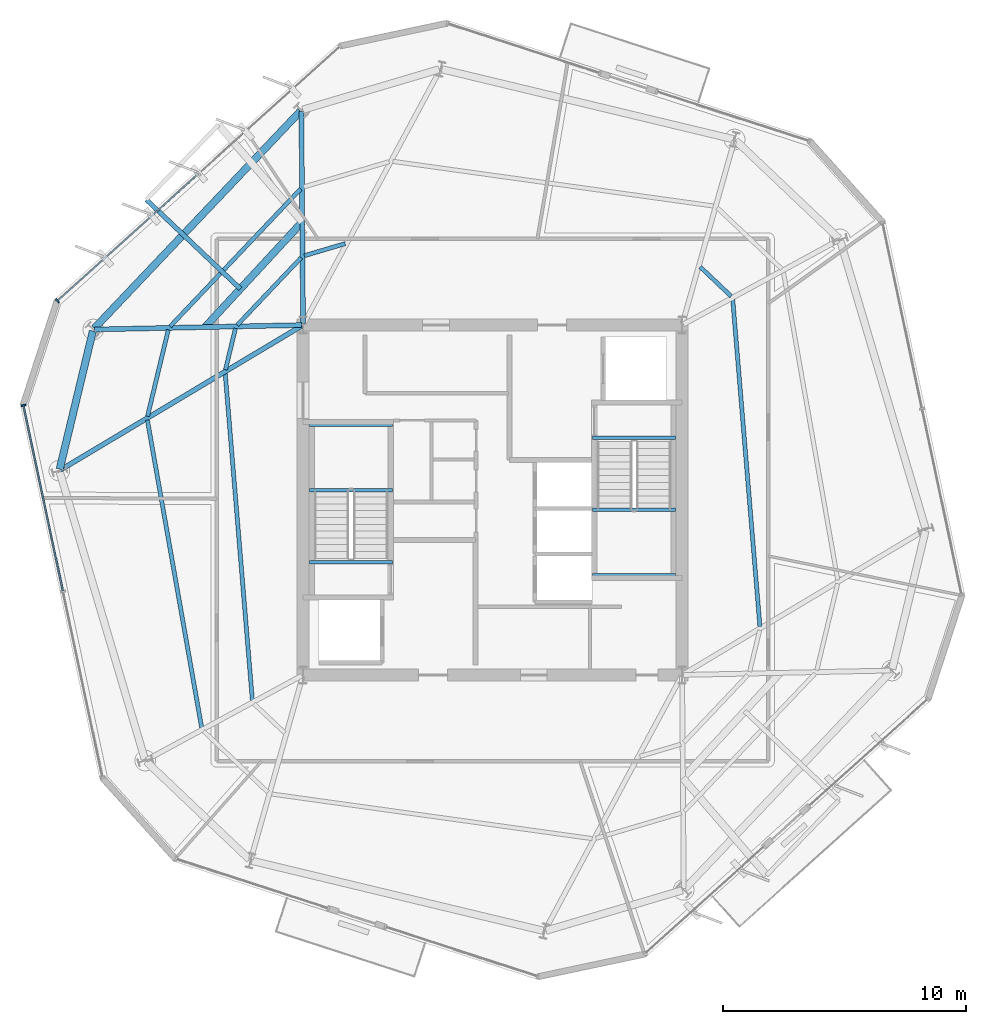
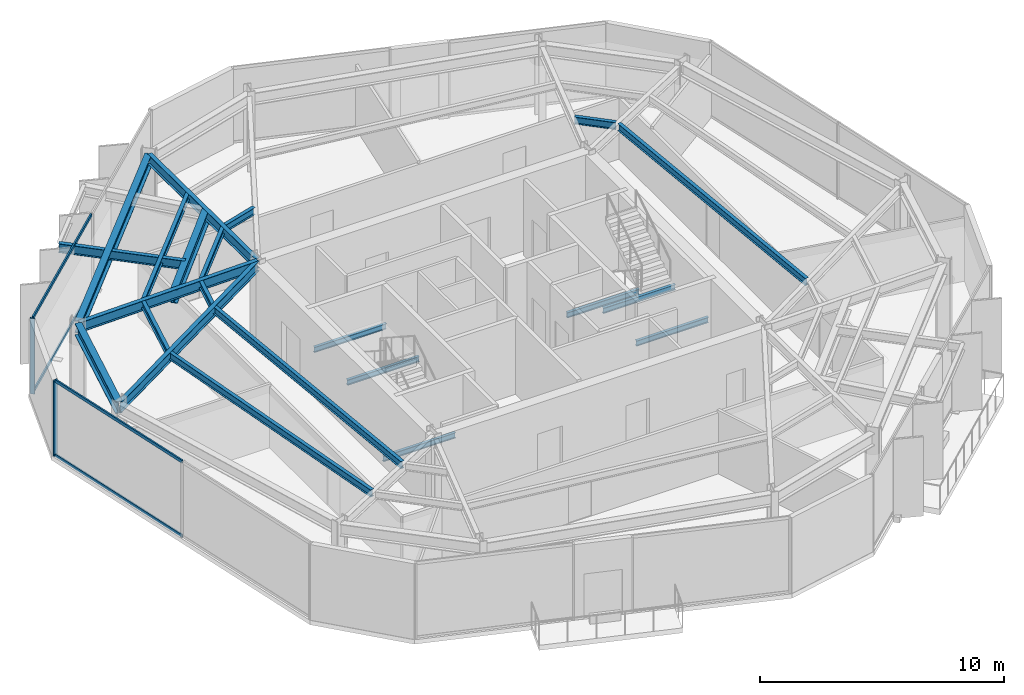
# One storey, part 3 of 11: 22 beams, 6 members, 2 elements without a shape of their own.
"""IFC4 building model written with IfcOpenShell, lengths in metres."""

from ifc_helpers import new_model, si_unit, direction, frame, origin, origin_2d, place, context, subcontext, project, spatial, rectangle, i_section, extrude, material, layer, layer_set, material_profile, profile_set, type_object, element, aggregate, save


model = new_model("IFC4")

# Units and contexts
model_context = context("Model", 3, precision=1e-05, world=origin(), true_north=direction((0.0, 1.0)))
body_context = subcontext(model_context, "Body", "Model", "MODEL_VIEW")
ifc_project = project(units=[si_unit("LENGTHUNIT", "METRE"), si_unit("AREAUNIT", "SQUARE_METRE"), si_unit("VOLUMEUNIT", "CUBIC_METRE"), si_unit("PLANEANGLEUNIT", "RADIAN"), si_unit("MASSUNIT", "GRAM", prefix="KILO")], contexts=[model_context])

# Site, building, storey
site_placement = place(None, origin())
site = spatial("IfcSite", under=ifc_project, at=site_placement, CompositionType="ELEMENT")
building_placement = place(site_placement, origin())
building = spatial("IfcBuilding", under=site, at=building_placement, Name="Kranzbogen Civic Tower", CompositionType="ELEMENT")
storey_placement = place(building_placement, frame((0.0, 0.0, 192.800048828125)))
storey = spatial("IfcBuildingStorey", under=building, at=storey_placement, Name="L46", CompositionType="ELEMENT", Elevation=192.800048828125)

# Beam
ifc_material_1 = material(Name="Steel S355", Category="steel")
ifc_material_profile_1 = material_profile(ifc_material_1, i_section(OverallWidth=0.18994140625, OverallDepth=0.449951171875, WebThickness=0.009521484375, FlangeThickness=0.0146484375, at=origin_2d()), Name="IPE 450")
ifc_profile_set_1 = profile_set([ifc_material_profile_1], Name="Steel S355")
beam_type_1 = type_object("IfcBeamType", Name="Braced Terrace Edge Beam IPE 450", PredefinedType="BEAM", material=ifc_profile_set_1)
beam_1_placement = place(storey_placement, frame((14.62109375, 33.68798828125, 3.52490234375), z_axis=(-0.725451974353, 0.688272789603, 0.0), x_axis=(-0.688272789603, -0.725451974353, 0.0)))
element("IfcBeam", 1, at=beam_1_placement, inside=storey, type_object=beam_type_1, Name="L47 back-spanned terrace beam L47-TB1-2", PredefinedType="BEAM", context=body_context, shape_type="SweptSolid", body=[
    extrude(i_section(OverallWidth=0.18994140625, OverallDepth=0.449951171875, WebThickness=0.009521484375, FlangeThickness=0.0146484375, at=origin_2d()), origin(), (0.0, 0.0, 1.0), 5.33203125),
])

# Curtain wall, member
ifc_material_2 = material(Name="Pale Anodised Aluminium", Category="aluminium")
ifc_layer = layer(ifc_material_2, 0.219970703125, Name="Pale Anodised Aluminium")
ifc_layer_set = layer_set([ifc_layer], Name="Pale Anodised Aluminium")
curtain_wall_type = type_object("IfcCurtainWallType", Name="Zone 3 Stick Curtain Wall System CW-04", PredefinedType="USERDEFINED", material=ifc_layer_set)
curtain_wall_1_placement = place(storey_placement, origin())
curtain_wall_1 = element("IfcCurtainWall", 2, at=curtain_wall_1_placement, inside=storey, type_object=curtain_wall_type, Name="L46 curtain wall CW-L46-F2", ObjectType="STICK CURTAIN WALL", PredefinedType="USERDEFINED")
ifc_material_profile_2 = material_profile(ifc_material_2, rectangle(XDim=0.070068359375, YDim=0.199951171875, at=origin_2d()), Name="ALU-M 70x200")
ifc_profile_set_2 = profile_set([ifc_material_profile_2], Name="Pale Anodised Aluminium")
member_type_1 = type_object("IfcMemberType", Name="Curtain Wall Mullion ALU-M 70x200", PredefinedType="MULLION", material=ifc_profile_set_2)
member_1_placement = place(storey_placement, frame((7.09326171875, 33.195068359375, 0.0), z_axis=(0.0, 0.0, 1.0), x_axis=(-0.743158008002, -0.669115965392, 0.0)))
member_1 = element("IfcMember", 3, at=member_1_placement, type_object=member_type_1, Name="CW-04 mullion 3", PredefinedType="MULLION", context=body_context, shape_type="SweptSolid", body=[
    extrude(rectangle(XDim=0.070068359375, YDim=0.199951171875, at=origin_2d()), origin(), (0.0, 0.0, 1.0), 3.780029296875),
])

curtain_wall_2_placement = place(storey_placement, origin())
curtain_wall_2 = element("IfcCurtainWall", 4, at=curtain_wall_2_placement, inside=storey, type_object=curtain_wall_type, Name="L46 curtain wall CW-L46-F3", ObjectType="STICK CURTAIN WALL", PredefinedType="USERDEFINED")
member_2_placement = place(storey_placement, frame((5.6962890625, 28.895751953125, 0.0), z_axis=(0.0, 0.0, 1.0), x_axis=(0.2079158588, -0.978146714793, 0.0)))
member_2 = element("IfcMember", 5, at=member_2_placement, type_object=member_type_1, Name="CW-04 mullion 1", PredefinedType="MULLION", context=body_context, shape_type="SweptSolid", body=[
    extrude(rectangle(XDim=0.070068359375, YDim=0.199951171875, at=origin_2d()), origin(), (0.0, 0.0, 1.0), 3.780029296875),
])

# Member
ifc_material_profile_3 = material_profile(ifc_material_2, rectangle(XDim=0.070068359375, YDim=0.14990234375, at=origin_2d()), Name="ALU-T 70x150")
ifc_profile_set_3 = profile_set([ifc_material_profile_3], Name="Pale Anodised Aluminium")
member_type_2 = type_object("IfcMemberType", Name="Curtain Wall Transom ALU-T 70x150", PredefinedType="USERDEFINED", material=ifc_profile_set_3)
member_3_placement = place(storey_placement, frame((12.88525390625, 38.409912109375, 0.030029296875), z_axis=(-0.743164352179, -0.669108919124, 0.0), x_axis=(0.669108919124, -0.743164352179, 0.0)))
member_3 = element("IfcMember", 6, at=member_3_placement, type_object=member_type_2, Name="CW-04 transom 2.1", ObjectType="TRANSOM", PredefinedType="USERDEFINED", context=body_context, shape_type="SweptSolid", body=[
    extrude(rectangle(XDim=0.070068359375, YDim=0.14990234375, at=origin_2d()), origin(), (0.0, 0.0, 1.0), 7.763916015625),
])

member_4_placement = place(storey_placement, frame((12.88525390625, 38.409912109375, 3.75), z_axis=(-0.743164352179, -0.669108919124, 0.0), x_axis=(0.669108919124, -0.743164352179, 0.0)))
member_4 = element("IfcMember", 7, at=member_4_placement, type_object=member_type_2, Name="CW-04 transom 2.2", ObjectType="TRANSOM", PredefinedType="USERDEFINED", context=body_context, shape_type="SweptSolid", body=[
    extrude(rectangle(XDim=0.070068359375, YDim=0.14990234375, at=origin_2d()), origin(), (0.0, 0.0, 1.0), 7.763916015625),
])

aggregate(curtain_wall_1, [member_1, member_3, member_4])

member_5_placement = place(storey_placement, frame((5.702392578125, 28.8662109375, 0.030029296875), z_axis=(0.207911782161, -0.978147581318, 0.0), x_axis=(0.978147581318, 0.207911782161, 0.0)))
member_5 = element("IfcMember", 8, at=member_5_placement, type_object=member_type_2, Name="CW-04 transom 1.1", ObjectType="TRANSOM", PredefinedType="USERDEFINED", context=body_context, shape_type="SweptSolid", body=[
    extrude(rectangle(XDim=0.070068359375, YDim=0.14990234375, at=origin_2d()), origin(), (0.0, 0.0, 1.0), 7.76416015625),
])

member_6_placement = place(storey_placement, frame((5.702392578125, 28.8662109375, 3.75), z_axis=(0.207911782161, -0.978147581318, 0.0), x_axis=(0.978147581318, 0.207911782161, 0.0)))
member_6 = element("IfcMember", 9, at=member_6_placement, type_object=member_type_2, Name="CW-04 transom 1.2", ObjectType="TRANSOM", PredefinedType="USERDEFINED", context=body_context, shape_type="SweptSolid", body=[
    extrude(rectangle(XDim=0.070068359375, YDim=0.14990234375, at=origin_2d()), origin(), (0.0, 0.0, 1.0), 7.76416015625),
])

aggregate(curtain_wall_2, [member_2, member_5, member_6])

# Beams
ifc_material_profile_4 = material_profile(ifc_material_1, i_section(OverallWidth=0.300048828125, OverallDepth=0.60009765625, WebThickness=0.015380859375, FlangeThickness=0.030029296875, at=origin_2d()), Name="HEB 600")
ifc_profile_set_4 = profile_set([ifc_material_profile_4], Name="Steel S355")
beam_type_2 = type_object("IfcBeamType", Name="Perimeter Tube Spandrel Beam HEB 600", PredefinedType="SPANDREL", material=ifc_profile_set_4)
beam_2_placement = place(storey_placement, frame((17.092041015625, 41.0, 3.47998046875), z_axis=(-0.688373497874, -0.725356414065, 0.0), x_axis=(0.725356414065, -0.688373497874, 0.0)))
element("IfcBeam", 10, at=beam_2_placement, inside=storey, type_object=beam_type_2, Name="L46 perimeter spandrel beam 10", PredefinedType="SPANDREL", context=body_context, shape_type="SweptSolid", body=[
    extrude(i_section(OverallWidth=0.300048828125, OverallDepth=0.60009765625, WebThickness=0.015380859375, FlangeThickness=0.030029296875, at=origin_2d()), origin(), (0.0, 0.0, 1.0), 12.324951171875),
])
beam_3_placement = place(storey_placement, frame((8.552978515625, 31.9580078125, 3.47998046875), z_axis=(-0.233554380434, -0.972343741369, 0.0), x_axis=(0.972343741369, -0.233554380434, 0.0)))
element("IfcBeam", 11, at=beam_3_placement, inside=storey, type_object=beam_type_2, Name="L46 perimeter spandrel beam 11", PredefinedType="SPANDREL", context=body_context, shape_type="SweptSolid", body=[
    extrude(i_section(OverallWidth=0.300048828125, OverallDepth=0.60009765625, WebThickness=0.015380859375, FlangeThickness=0.030029296875, at=origin_2d()), origin(), (0.0, 0.0, 1.0), 5.852783203125),
])
ifc_material_profile_5 = material_profile(ifc_material_1, i_section(OverallWidth=0.300048828125, OverallDepth=0.699951171875, WebThickness=0.01708984375, FlangeThickness=0.031982421875, at=origin_2d()), Name="HEB 700")
ifc_profile_set_5 = profile_set([ifc_material_profile_5], Name="Steel S355")
beam_type_3 = type_object("IfcBeamType", Name="Perimeter Tube Spandrel Beam HEB 700", PredefinedType="SPANDREL", material=ifc_profile_set_5)
beam_4_placement = place(storey_placement, frame((17.16796875, 36.444091796875, 3.39990234375), z_axis=(-0.678733988671, -0.734384213218, 0.0), x_axis=(0.734384213218, -0.678733988671, 0.0)))
element("IfcBeam", 12, at=beam_4_placement, inside=storey, type_object=beam_type_3, Name="L47 balcony back-span header girder L47-TB1", PredefinedType="SPANDREL", context=body_context, shape_type="SweptSolid", body=[
    extrude(i_section(OverallWidth=0.300048828125, OverallDepth=0.699951171875, WebThickness=0.01708984375, FlangeThickness=0.031982421875, at=origin_2d()), origin(), (0.0, 0.0, 1.0), 5.896240234375),
])
ifc_material_profile_6 = material_profile(ifc_material_1, i_section(OverallWidth=0.199951171875, OverallDepth=0.5, WebThickness=0.01025390625, FlangeThickness=0.01611328125, at=origin_2d()), Name="IPE 500")
ifc_profile_set_6 = profile_set([ifc_material_profile_6], Name="Steel S355")
beam_type_4 = type_object("IfcBeamType", Name="Radial Tower Floor Girder IPE 500", PredefinedType="BEAM", material=ifc_profile_set_6)
beam_5_placement = place(storey_placement, frame((17.133056640625, 40.98388671875, 3.530029296875), z_axis=(0.007667756557, -0.999970602323, 0.0), x_axis=(0.999970602323, 0.007667756557, 0.0)))
element("IfcBeam", 13, at=beam_5_placement, inside=storey, type_object=beam_type_4, Name="L46 radial floor girder 10", PredefinedType="BEAM", context=body_context, shape_type="SweptSolid", body=[
    extrude(i_section(OverallWidth=0.199951171875, OverallDepth=0.5, WebThickness=0.01025390625, FlangeThickness=0.01611328125, at=origin_2d()), origin(), (0.0, 0.0, 1.0), 8.72412109375),
])
beam_6_placement = place(storey_placement, frame((8.626953125, 32.01708984375, 3.530029296875), z_axis=(0.99977183191, 0.021360808018, 0.0), x_axis=(-0.021360808018, 0.99977183191, 0.0)))
element("IfcBeam", 14, at=beam_6_placement, inside=storey, type_object=beam_type_4, Name="L46 radial floor girder 11", PredefinedType="BEAM", context=body_context, shape_type="SweptSolid", body=[
    extrude(i_section(OverallWidth=0.199951171875, OverallDepth=0.5, WebThickness=0.01025390625, FlangeThickness=0.01611328125, at=origin_2d()), origin(), (0.0, 0.0, 1.0), 8.514892578125),
])
beam_7_placement = place(storey_placement, frame((7.22412109375, 26.239990234375, 3.530029296875), z_axis=(0.858458551809, 0.512882944565, 0.0), x_axis=(-0.512882944565, 0.858458551809, 0.0)))
element("IfcBeam", 15, at=beam_7_placement, inside=storey, type_object=beam_type_4, Name="L46 radial floor girder 12", PredefinedType="BEAM", context=body_context, shape_type="SweptSolid", body=[
    extrude(i_section(OverallWidth=0.199951171875, OverallDepth=0.5, WebThickness=0.01025390625, FlangeThickness=0.01611328125, at=origin_2d()), origin(), (0.0, 0.0, 1.0), 11.56005859375),
])
ifc_material_profile_7 = material_profile(ifc_material_1, i_section(OverallWidth=0.169921875, OverallDepth=0.360107421875, WebThickness=0.008056640625, FlangeThickness=0.0126953125, at=origin_2d()), Name="IPE 360")
ifc_profile_set_7 = profile_set([ifc_material_profile_7], Name="Steel S355")
beam_type_5 = type_object("IfcBeamType", Name="Secondary Composite Floor Joist IPE 360", PredefinedType="JOIST", material=ifc_profile_set_7)
beam_8_placement = place(storey_placement, frame((36.001953125, 19.797119140625, 3.599853515625), z_axis=(-0.082825426692, 0.996564071544, 0.0), x_axis=(-0.996564071544, -0.082825426692, 0.0)))
element("IfcBeam", 16, at=beam_8_placement, inside=storey, type_object=beam_type_5, Name="L46 secondary floor joist 2.06", PredefinedType="JOIST", context=body_context, shape_type="SweptSolid", body=[
    extrude(i_section(OverallWidth=0.169921875, OverallDepth=0.360107421875, WebThickness=0.008056640625, FlangeThickness=0.0126953125, at=origin_2d()), origin(), (0.0, 0.0, 1.0), 13.497314453125),
])
beam_9_placement = place(storey_placement, frame((34.820068359375, 33.383056640625, 3.599853515625), z_axis=(-0.725479767774, 0.688243493649, 0.0), x_axis=(-0.688243493649, -0.725479767774, 0.0)))
element("IfcBeam", 17, at=beam_9_placement, inside=storey, type_object=beam_type_5, Name="L46 secondary floor joist 2.07", PredefinedType="JOIST", context=body_context, shape_type="SweptSolid", body=[
    extrude(i_section(OverallWidth=0.169921875, OverallDepth=0.360107421875, WebThickness=0.008056640625, FlangeThickness=0.0126953125, at=origin_2d()), origin(), (0.0, 0.0, 1.0), 1.75048828125),
])
beam_10_placement = place(storey_placement, frame((18.93408203125, 35.550048828125, 3.599853515625), z_axis=(-0.958871214757, -0.283841493638, 0.0), x_axis=(0.283841493638, -0.958871214757, 0.0)))
element("IfcBeam", 18, at=beam_10_placement, inside=storey, type_object=beam_type_5, Name="L46 secondary floor joist 2.09", PredefinedType="JOIST", context=body_context, shape_type="SweptSolid", body=[
    extrude(i_section(OverallWidth=0.169921875, OverallDepth=0.360107421875, WebThickness=0.008056640625, FlangeThickness=0.0126953125, at=origin_2d()), origin(), (0.0, 0.0, 1.0), 1.751220703125),
])
beam_11_placement = place(storey_placement, frame((17.10205078125, 37.802001953125, 3.599853515625), z_axis=(-0.688282381634, -0.725442873789, 0.0), x_axis=(0.725442873789, -0.688282381634, 0.0)))
element("IfcBeam", 19, at=beam_11_placement, inside=storey, type_object=beam_type_5, Name="L46 secondary floor joist 1.10", PredefinedType="JOIST", context=body_context, shape_type="SweptSolid", body=[
    extrude(i_section(OverallWidth=0.169921875, OverallDepth=0.360107421875, WebThickness=0.008056640625, FlangeThickness=0.0126953125, at=origin_2d()), origin(), (0.0, 0.0, 1.0), 7.804931640625),
])
beam_12_placement = place(storey_placement, frame((17.123046875, 34.971923828125, 3.599853515625), z_axis=(-0.688175084876, -0.725544659243, 0.0), x_axis=(0.725544659243, -0.688175084876, 0.0)))
element("IfcBeam", 20, at=beam_12_placement, inside=storey, type_object=beam_type_5, Name="L46 secondary floor joist 2.10", PredefinedType="JOIST", context=body_context, shape_type="SweptSolid", body=[
    extrude(i_section(OverallWidth=0.169921875, OverallDepth=0.360107421875, WebThickness=0.008056640625, FlangeThickness=0.0126953125, at=origin_2d()), origin(), (0.0, 0.0, 1.0), 3.82177734375),
])
beam_13_placement = place(storey_placement, frame((11.656005859375, 32.00390625, 3.599853515625), z_axis=(-0.233534367714, -0.972348548154, 0.0), x_axis=(0.972348548154, -0.233534367714, 0.0)))
element("IfcBeam", 21, at=beam_13_placement, inside=storey, type_object=beam_type_5, Name="L46 secondary floor joist 1.11", PredefinedType="JOIST", context=body_context, shape_type="SweptSolid", body=[
    extrude(i_section(OverallWidth=0.169921875, OverallDepth=0.360107421875, WebThickness=0.008056640625, FlangeThickness=0.0126953125, at=origin_2d()), origin(), (0.0, 0.0, 1.0), 3.6611328125),
])
beam_14_placement = place(storey_placement, frame((14.4189453125, 32.06298828125, 3.599853515625), z_axis=(-0.233631438607, -0.972325228972, 0.0), x_axis=(0.972325228972, -0.233631438607, 0.0)))
element("IfcBeam", 22, at=beam_14_placement, inside=storey, type_object=beam_type_5, Name="L46 secondary floor joist 2.11", PredefinedType="JOIST", context=body_context, shape_type="SweptSolid", body=[
    extrude(i_section(OverallWidth=0.169921875, OverallDepth=0.360107421875, WebThickness=0.008056640625, FlangeThickness=0.0126953125, at=origin_2d()), origin(), (0.0, 0.0, 1.0), 1.750244140625),
])
beam_15_placement = place(storey_placement, frame((10.7958984375, 28.287109375, 3.599853515625), z_axis=(0.173805911364, -0.984779927281, 0.0), x_axis=(0.984779927281, 0.173805911364, 0.0)))
element("IfcBeam", 23, at=beam_15_placement, inside=storey, type_object=beam_type_5, Name="L46 secondary floor joist 1.12", PredefinedType="JOIST", context=body_context, shape_type="SweptSolid", body=[
    extrude(i_section(OverallWidth=0.169921875, OverallDepth=0.360107421875, WebThickness=0.008056640625, FlangeThickness=0.0126953125, at=origin_2d()), origin(), (0.0, 0.0, 1.0), 12.85986328125),
])
beam_16_placement = place(storey_placement, frame((13.998046875, 30.202880859375, 3.599853515625), z_axis=(0.082825426692, -0.996564071544, 0.0), x_axis=(0.996564071544, 0.082825426692, 0.0)))
element("IfcBeam", 24, at=beam_16_placement, inside=storey, type_object=beam_type_5, Name="L46 secondary floor joist 2.12", PredefinedType="JOIST", context=body_context, shape_type="SweptSolid", body=[
    extrude(i_section(OverallWidth=0.169921875, OverallDepth=0.360107421875, WebThickness=0.008056640625, FlangeThickness=0.0126953125, at=origin_2d()), origin(), (0.0, 0.0, 1.0), 13.497314453125),
])
ifc_material_profile_8 = material_profile(ifc_material_1, i_section(OverallWidth=0.135009765625, OverallDepth=0.27001953125, WebThickness=0.006591796875, FlangeThickness=0.01025390625, at=origin_2d()), Name="IPE 270")
ifc_profile_set_8 = profile_set([ifc_material_profile_8], Name="Steel S355")
beam_type_6 = type_object("IfcBeamType", Name="Stair Landing Support Beam IPE 270", PredefinedType="JOIST", material=ifc_profile_set_8)
for number, where, z_axis, x_axis, name in (
    (25, (20.8798828125, 22.43994140625, -0.35498046875), (-1.0, 0.0, 0.0), (0.0, -1.0, 0.0), "L46 ST-T1 stair floor header beam"),
    (26, (20.8798828125, 25.39990234375, 1.6650390625), (-1.0, 0.0, 0.0), (0.0, -1.0, 0.0), "L46 ST-T1 landing support beam 1.1"),
    (27, (20.8798828125, 28.10009765625, 1.6650390625), (-1.0, 0.0, 0.0), (0.0, -1.0, 0.0), "L46 ST-T1 landing support beam 1.2"),
    (28, (29.1201171875, 27.56005859375, -0.35498046875), (1.0, 0.0, 0.0), (0.0, 1.0, 0.0), "L46 ST-T2 stair floor header beam"),
    (29, (29.1201171875, 24.60009765625, 1.6650390625), (1.0, 0.0, 0.0), (0.0, 1.0, 0.0), "L46 ST-T2 landing support beam 1.1"),
    (30, (29.1201171875, 21.89990234375, 1.6650390625), (1.0, 0.0, 0.0), (0.0, 1.0, 0.0), "L46 ST-T2 landing support beam 1.2"),
):
    element("IfcBeam", number, at=place(storey_placement, frame(where, z_axis=z_axis, x_axis=x_axis)), inside=storey, type_object=beam_type_6, Name=name, PredefinedType="JOIST", context=body_context, shape_type="SweptSolid", body=[
        extrude(i_section(OverallWidth=0.135009765625, OverallDepth=0.27001953125, WebThickness=0.006591796875, FlangeThickness=0.01025390625, at=origin_2d()), origin(), (0.0, 0.0, 1.0), 3.409912109375),
    ])

save(model, "model.ifc")
